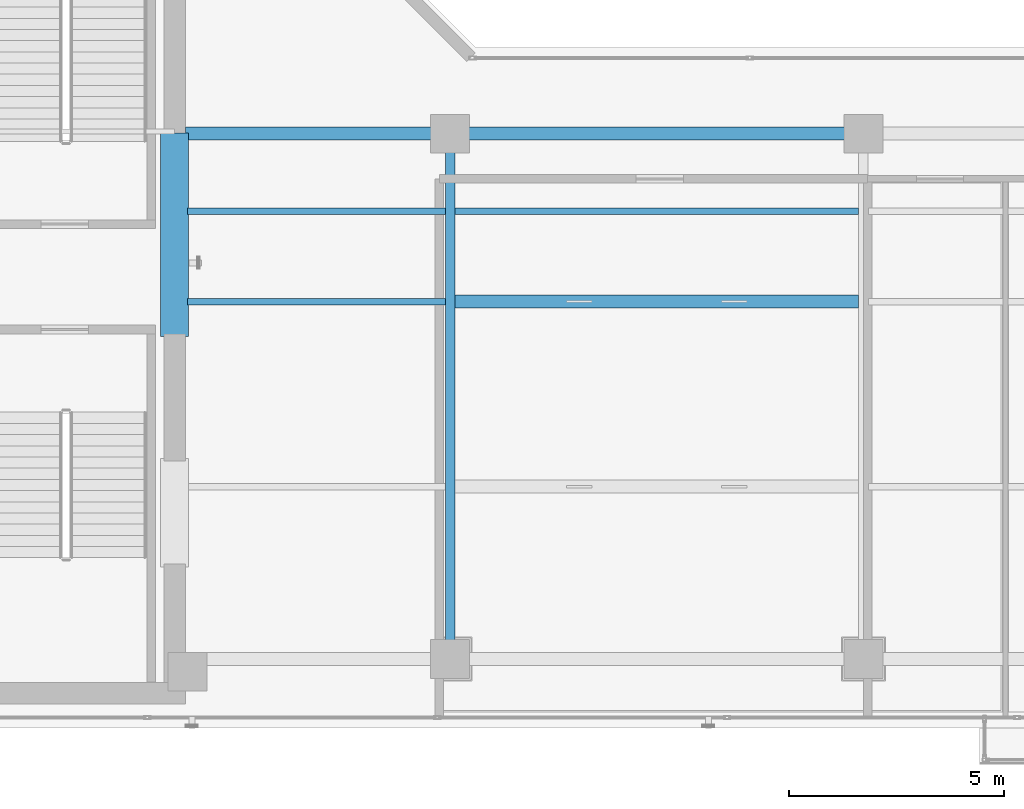
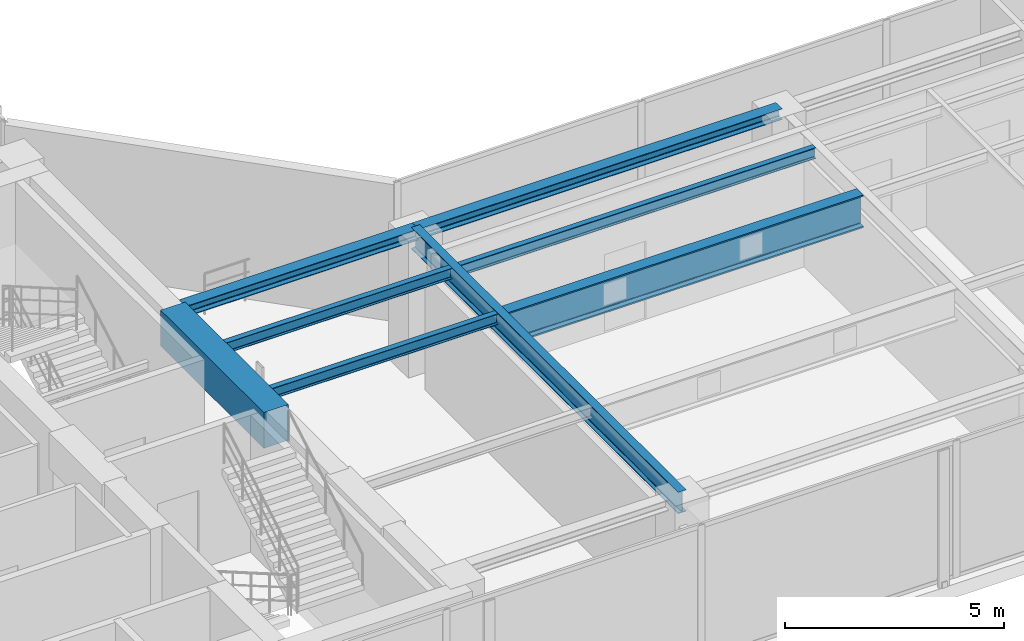
# One storey, part 8 of 32: 8 beams.
"""IFC4 building model written with IfcOpenShell, lengths in metres."""

from ifc_helpers import new_model, si_unit, direction, frame, origin, origin_2d, place, context, subcontext, project, spatial, rectangle, i_section, extrude, material, material_profile, profile_set, type_object, element, save


model = new_model("IFC4")

# Units and contexts
model_context = context("Model", 3, precision=1e-05, world=origin(), true_north=direction((0.0, 1.0)))
body_context = subcontext(model_context, "Body", "Model", "MODEL_VIEW")
ifc_project = project(units=[si_unit("LENGTHUNIT", "METRE"), si_unit("AREAUNIT", "SQUARE_METRE"), si_unit("VOLUMEUNIT", "CUBIC_METRE"), si_unit("PLANEANGLEUNIT", "RADIAN"), si_unit("MASSUNIT", "GRAM", prefix="KILO")], contexts=[model_context])

# Site, building, storey
site_placement = place(None, origin())
site = spatial("IfcSite", under=ifc_project, at=site_placement, CompositionType="ELEMENT")
building_placement = place(site_placement, origin())
building = spatial("IfcBuilding", under=site, at=building_placement, Name="Kolvaren Waterfront Exchange", CompositionType="ELEMENT")
storey_placement = place(building_placement, frame((0.0, 0.0, 352.0)))
storey = spatial("IfcBuildingStorey", under=building, at=storey_placement, Name="L90", CompositionType="ELEMENT", Elevation=352.0)

# Beams
ifc_material_1 = material(Name="Steel S355", Category="steel")
ifc_material_profile_1 = material_profile(ifc_material_1, i_section(OverallWidth=0.300048828125, OverallDepth=0.300048828125, WebThickness=0.010986328125, FlangeThickness=0.01904296875, FilletRadius=0.027099609375, at=origin_2d()), Name="HEB300")
ifc_profile_set_1 = profile_set([ifc_material_profile_1], Name="Steel S355")
beam_type_1 = type_object("IfcBeamType", Name="STR-BM-HEB300", PredefinedType="SPANDREL", material=ifc_profile_set_1)
beam_1_placement = place(storey_placement, frame((21.050048828125, 17.39990234375, 3.669921875), z_axis=(1.0, 0.0, 0.0), x_axis=(0.0, 1.0, 0.0)))
element("IfcBeam", 1, at=beam_1_placement, inside=storey, type_object=beam_type_1, Name="L90 east-arm spandrel N1", PredefinedType="SPANDREL", context=body_context, shape_type="SweptSolid", body=[
    extrude(i_section(OverallWidth=0.300048828125, OverallDepth=0.300048828125, WebThickness=0.010986328125, FlangeThickness=0.01904296875, FilletRadius=0.027099609375, at=origin_2d()), origin(), (0.0, 0.0, 1.0), 6.14990234375),
])
beam_2_placement = place(storey_placement, frame((27.199951171875, 17.39990234375, 3.669921875), z_axis=(1.0, 0.0, 0.0), x_axis=(0.0, 1.0, 0.0)))
element("IfcBeam", 2, at=beam_2_placement, inside=storey, type_object=beam_type_1, Name="L90 east-arm spandrel N2", PredefinedType="SPANDREL", context=body_context, shape_type="SweptSolid", body=[
    extrude(i_section(OverallWidth=0.300048828125, OverallDepth=0.300048828125, WebThickness=0.010986328125, FlangeThickness=0.01904296875, FilletRadius=0.027099609375, at=origin_2d()), origin(), (0.0, 0.0, 1.0), 9.60009765625),
])
ifc_material_profile_2 = material_profile(ifc_material_1, i_section(OverallWidth=0.14990234375, OverallDepth=0.300048828125, WebThickness=0.007080078125, FlangeThickness=0.0107421875, FilletRadius=0.014892578125, at=origin_2d()), Name="IPE300")
ifc_profile_set_2 = profile_set([ifc_material_profile_2], Name="Steel S355")
beam_type_2 = type_object("IfcBeamType", Name="STR-BM-IPE300", PredefinedType="JOIST", material=ifc_profile_set_2)
for number, where, z_axis, x_axis, name in (
    (3, (21.10009765625, 13.5, 3.669921875), (1.0, 0.0, 0.0), (0.0, 1.0, 0.0), "L90 east-arm composite joist 1A"),
    (4, (21.10009765625, 15.60009765625, 3.669921875), (1.0, 0.0, 0.0), (0.0, 1.0, 0.0), "L90 east-arm composite joist 1C"),
):
    element("IfcBeam", number, at=place(storey_placement, frame(where, z_axis=z_axis, x_axis=x_axis)), inside=storey, type_object=beam_type_2, Name=name, PredefinedType="JOIST", context=body_context, shape_type="SweptSolid", body=[
        extrude(i_section(OverallWidth=0.14990234375, OverallDepth=0.300048828125, WebThickness=0.007080078125, FlangeThickness=0.0107421875, FilletRadius=0.014892578125, at=origin_2d()), origin(), (0.0, 0.0, 1.0), 5.98779296875),
    ])
beam_3_placement = place(storey_placement, frame((27.31201171875, 15.60009765625, 3.669921875), z_axis=(1.0, 0.0, 0.0), x_axis=(0.0, 1.0, 0.0)))
element("IfcBeam", 5, at=beam_3_placement, inside=storey, type_object=beam_type_2, Name="L90 east-arm composite joist 2C", PredefinedType="JOIST", context=body_context, shape_type="SweptSolid", body=[
    extrude(i_section(OverallWidth=0.14990234375, OverallDepth=0.300048828125, WebThickness=0.007080078125, FlangeThickness=0.0107421875, FilletRadius=0.014892578125, at=origin_2d()), origin(), (0.0, 0.0, 1.0), 9.3759765625),
])
ifc_material_profile_3 = material_profile(ifc_material_1, i_section(OverallWidth=0.219970703125, OverallDepth=0.60009765625, WebThickness=0.011962890625, FlangeThickness=0.01904296875, FilletRadius=0.02392578125, at=origin_2d()), Name="IPE600")
ifc_profile_set_3 = profile_set([ifc_material_profile_3], Name="Steel S355")
beam_type_3 = type_object("IfcBeamType", Name="STR-BM-IPE600", PredefinedType="BEAM", material=ifc_profile_set_3)
beam_4_placement = place(storey_placement, frame((27.199951171875, 5.199951171875, 3.52001953125), z_axis=(0.0, 1.0, 0.0), x_axis=(-1.0, 0.0, 0.0)))
element("IfcBeam", 6, at=beam_4_placement, inside=storey, type_object=beam_type_3, Name="L90 east-arm transverse girder X27", PredefinedType="BEAM", context=body_context, shape_type="SweptSolid", body=[
    extrude(i_section(OverallWidth=0.219970703125, OverallDepth=0.60009765625, WebThickness=0.011962890625, FlangeThickness=0.01904296875, FilletRadius=0.02392578125, at=origin_2d()), origin(), (0.0, 0.0, 1.0), 12.199951171875),
])
ifc_material_2 = material(Name="Concrete C60/75", Category="concrete")
ifc_material_profile_4 = material_profile(ifc_material_2, rectangle(XDim=0.64990234375, YDim=1.0, at=origin_2d()), Name="RC-CB-1000x650")
ifc_profile_set_4 = profile_set([ifc_material_profile_4], Name="Concrete C60/75")
beam_type_4 = type_object("IfcBeamType", Name="STR-CB-1000", PredefinedType="SPANDREL", material=ifc_profile_set_4)
beam_5_placement = place(storey_placement, frame((20.800048828125, 12.68994140625, 3.320068359375), z_axis=(0.0, 1.0, 0.0), x_axis=(-1.0, 0.0, 0.0)))
element("IfcBeam", 7, at=beam_5_placement, inside=storey, type_object=beam_type_4, Name="L90 core coupling beam 2", PredefinedType="SPANDREL", context=body_context, shape_type="SweptSolid", body=[
    extrude(rectangle(XDim=0.64990234375, YDim=1.0, at=origin_2d()), origin(), (0.0, 0.0, 1.0), 4.719970703125),
])
ifc_material_3 = material(Name="Steel S460", Category="steel")
ifc_material_profile_5 = material_profile(ifc_material_3, i_section(OverallWidth=0.302001953125, OverallDepth=0.909912109375, WebThickness=0.02099609375, FlangeThickness=0.0400390625, FilletRadius=0.030029296875, at=origin_2d()), Name="HEM900")
ifc_profile_set_5 = profile_set([ifc_material_profile_5], Name="Steel S460")
beam_type_5 = type_object("IfcBeamType", Name="STR-TRG-HEM900", PredefinedType="BEAM", material=ifc_profile_set_5)
beam_6_placement = place(storey_placement, frame((27.31201171875, 13.5, 3.364990234375), z_axis=(1.0, 0.0, 0.0), x_axis=(0.0, 1.0, 0.0)))
element("IfcBeam", 8, at=beam_6_placement, inside=storey, type_object=beam_type_5, Name="L90 TUNED MASS DAMPER suspension girder 2", PredefinedType="BEAM", context=body_context, shape_type="SweptSolid", body=[
    extrude(i_section(OverallWidth=0.302001953125, OverallDepth=0.909912109375, WebThickness=0.02099609375, FlangeThickness=0.0400390625, FilletRadius=0.030029296875, at=origin_2d()), origin(), (0.0, 0.0, 1.0), 9.3759765625),
])

save(model, "model.ifc")
